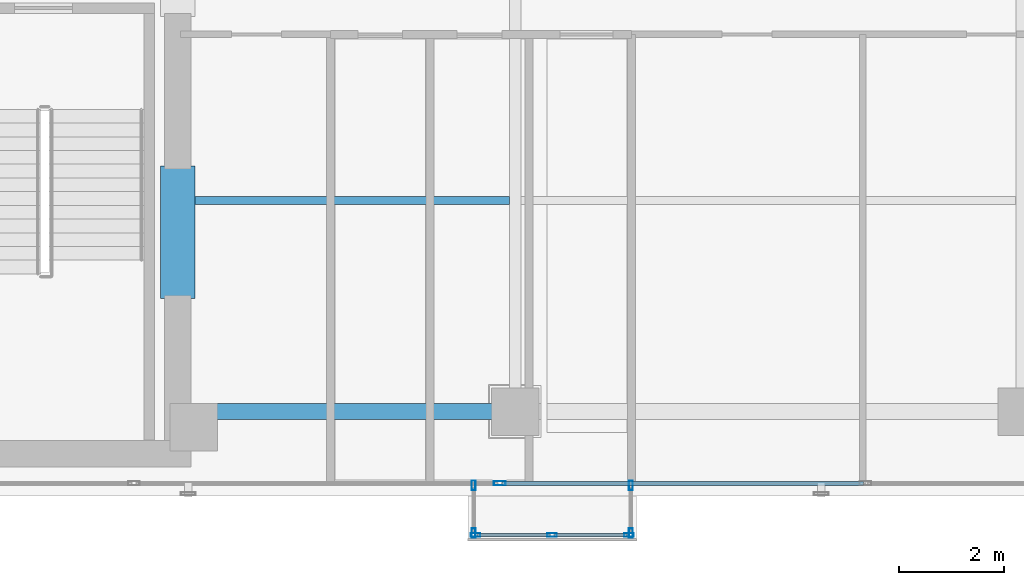
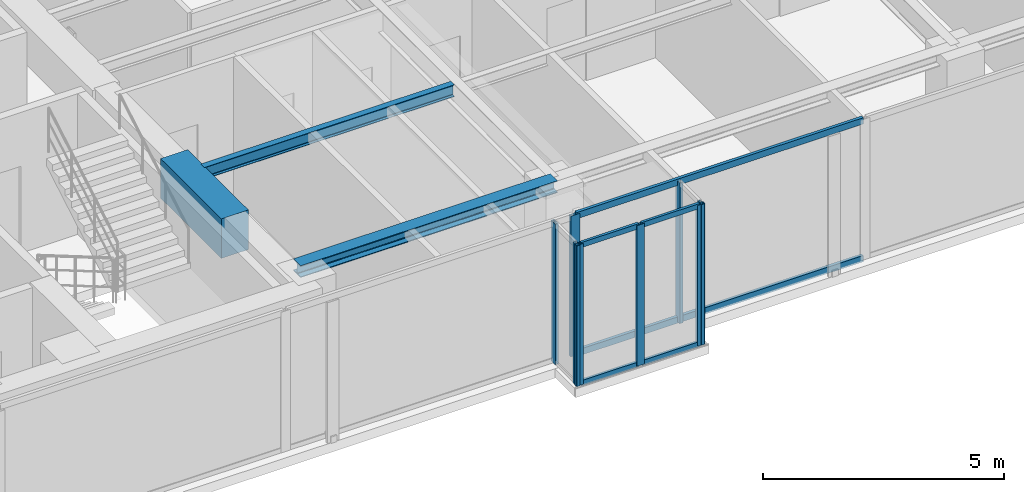
# One storey, part 4 of 22: 14 members, 3 beams, 4 elements without a shape of their own.
"""IFC4 building model written with IfcOpenShell, lengths in metres."""

from ifc_helpers import new_model, si_unit, direction, frame, origin, origin_with_axes, origin_2d, place, context, subcontext, project, spatial, rectangle, hollow_rectangle, i_section, extrude, source, transform, mapped, material, layer, layer_set, material_profile, profile_set, type_object, element, aggregate, save


model = new_model("IFC4")

# Units and contexts
model_context = context("Model", 3, precision=1e-05, world=origin(), true_north=direction((0.0, 1.0)))
body_context = subcontext(model_context, "Body", "Model", "MODEL_VIEW")
ifc_project = project(units=[si_unit("LENGTHUNIT", "METRE"), si_unit("AREAUNIT", "SQUARE_METRE"), si_unit("VOLUMEUNIT", "CUBIC_METRE"), si_unit("PLANEANGLEUNIT", "RADIAN"), si_unit("MASSUNIT", "GRAM", prefix="KILO")], contexts=[model_context])

# Site, building, storey
site_placement = place(None, origin())
site = spatial("IfcSite", under=ifc_project, at=site_placement, CompositionType="ELEMENT")
building_placement = place(site_placement, origin())
building = spatial("IfcBuilding", under=site, at=building_placement, Name="Kolvaren Waterfront Exchange", CompositionType="ELEMENT")
storey_placement = place(building_placement, frame((0.0, 0.0, 323.60009765625)))
storey = spatial("IfcBuildingStorey", under=building, at=storey_placement, Name="L83", CompositionType="ELEMENT", Elevation=323.60009765625)

# Beams
ifc_material_1 = material(Name="Steel S355", Category="steel")
ifc_material_profile_1 = material_profile(ifc_material_1, i_section(OverallWidth=0.300048828125, OverallDepth=0.300048828125, WebThickness=0.010986328125, FlangeThickness=0.01904296875, FilletRadius=0.027099609375, at=origin_2d()), Name="HEB300")
ifc_profile_set_1 = profile_set([ifc_material_profile_1], Name="Steel S355")
beam_type_1 = type_object("IfcBeamType", Name="STR-BM-HEB300", PredefinedType="SPANDREL", material=ifc_profile_set_1)
beam_1_placement = place(storey_placement, frame((21.050048828125, 5.199951171875, 3.409912109375), z_axis=(1.0, 0.0, 0.0), x_axis=(0.0, 1.0, 0.0)))
element("IfcBeam", 1, at=beam_1_placement, inside=storey, type_object=beam_type_1, Name="L83 east-arm spandrel S1", PredefinedType="SPANDREL", context=body_context, shape_type="SweptSolid", body=[
    extrude(i_section(OverallWidth=0.300048828125, OverallDepth=0.300048828125, WebThickness=0.010986328125, FlangeThickness=0.01904296875, FilletRadius=0.027099609375, at=origin_2d()), origin(), (0.0, 0.0, 1.0), 6.14990234375),
])
ifc_material_profile_2 = material_profile(ifc_material_1, i_section(OverallWidth=0.14990234375, OverallDepth=0.300048828125, WebThickness=0.007080078125, FlangeThickness=0.0107421875, FilletRadius=0.014892578125, at=origin_2d()), Name="IPE300")
ifc_profile_set_2 = profile_set([ifc_material_profile_2], Name="Steel S355")
beam_type_2 = type_object("IfcBeamType", Name="STR-BM-IPE300", PredefinedType="JOIST", material=ifc_profile_set_2)
beam_2_placement = place(storey_placement, frame((21.10009765625, 9.199951171875, 3.409912109375), z_axis=(1.0, 0.0, 0.0), x_axis=(0.0, 1.0, 0.0)))
element("IfcBeam", 2, at=beam_2_placement, inside=storey, type_object=beam_type_2, Name="L83 east-arm composite joist 1B", PredefinedType="JOIST", context=body_context, shape_type="SweptSolid", body=[
    extrude(i_section(OverallWidth=0.14990234375, OverallDepth=0.300048828125, WebThickness=0.007080078125, FlangeThickness=0.0107421875, FilletRadius=0.014892578125, at=origin_2d()), origin(), (0.0, 0.0, 1.0), 5.98779296875),
])
ifc_material_2 = material(Name="Concrete C60/75", Category="concrete")
ifc_material_profile_3 = material_profile(ifc_material_2, rectangle(XDim=0.64990234375, YDim=1.0, at=origin_2d()), Name="RC-CB-1000x650")
ifc_profile_set_3 = profile_set([ifc_material_profile_3], Name="Concrete C60/75")
beam_type_3 = type_object("IfcBeamType", Name="STR-CB-1000", PredefinedType="SPANDREL", material=ifc_profile_set_3)
beam_3_placement = place(storey_placement, frame((20.800048828125, 7.340087890625, 3.059814453125), z_axis=(0.0, 1.0, 0.0), x_axis=(-1.0, 0.0, 0.0)))
element("IfcBeam", 3, at=beam_3_placement, inside=storey, type_object=beam_type_3, Name="L83 core coupling beam 1", PredefinedType="SPANDREL", context=body_context, shape_type="SweptSolid", body=[
    extrude(rectangle(XDim=0.64990234375, YDim=1.0, at=origin_2d()), origin(), (0.0, 0.0, 1.0), 2.52001953125),
])

# Curtain wall, members
ifc_material_3 = material(Name="Anodised bronze aluminium 6063-T6", Category="aluminium")
ifc_layer_1 = layer(ifc_material_3, 0.219970703125, Name="Anodised bronze aluminium 6063-T6")
ifc_layer_set_1 = layer_set([ifc_layer_1], Name="Anodised bronze aluminium 6063-T6")
curtain_wall_type_1 = type_object("IfcCurtainWallType", Name="ARC-CW-SYS3", PredefinedType="USERDEFINED", material=ifc_layer_set_1)
curtain_wall_1_placement = place(storey_placement, origin())
curtain_wall_1 = element("IfcCurtainWall", 4, at=curtain_wall_1_placement, inside=storey, type_object=curtain_wall_type_1, Name="L83 stick curtain wall CW3 (CW-L83-BOX)", ObjectType="STICK CURTAIN WALL", PredefinedType="USERDEFINED")
ifc_material_profile_4 = material_profile(ifc_material_3, hollow_rectangle(XDim=0.06494140625, YDim=0.1298828125, WallThickness=0.00390625, at=origin_2d()), Name="ALU-TRN-130x65x4")
ifc_profile_set_4 = profile_set([ifc_material_profile_4], Name="Anodised bronze aluminium 6063-T6")
member_type_1 = type_object("IfcMemberType", Name="ARC-CWT-130", PredefinedType="USERDEFINED", material=ifc_profile_set_4)
shared_shape_1 = source(origin_with_axes(), body_context, "Body", "SweptSolid", [
    extrude(hollow_rectangle(XDim=0.06494140625, YDim=0.1298828125, WallThickness=0.00390625, at=origin_2d()), origin(), (0.0, 0.0, 1.0), 1.37744140625),
])
member_1_placement = place(storey_placement, frame((26.485107421875, 2.860107421875, 0.032470703125), z_axis=(1.0, 0.0, 0.0), x_axis=(0.0, 1.0, 0.0)))
member_1 = element("IfcMember", 5, at=member_1_placement, type_object=member_type_1, Name="CW3 transom 1.1", ObjectType="TRANSOM", PredefinedType="USERDEFINED", context=body_context, shape_type="MappedRepresentation", body=[
    mapped(shared_shape_1, transform((0.0, 0.0, 0.0), x_axis=(1.0, 0.0, 0.0), y_axis=(0.0, 1.0, 0.0), z_axis=(0.0, 0.0, 1.0), scale=1.0)),
])
member_2_placement = place(storey_placement, frame((26.485107421875, 2.860107421875, 3.52734375), z_axis=(1.0, 0.0, 0.0), x_axis=(0.0, 1.0, 0.0)))
member_2 = element("IfcMember", 6, at=member_2_placement, type_object=member_type_1, Name="CW3 transom 1.2", ObjectType="TRANSOM", PredefinedType="USERDEFINED", context=body_context, shape_type="MappedRepresentation", body=[
    mapped(shared_shape_1, transform((0.0, 0.0, 0.0), x_axis=(1.0, 0.0, 0.0), y_axis=(0.0, 1.0, 0.0), z_axis=(0.0, 0.0, 1.0), scale=1.0)),
])
member_3_placement = place(storey_placement, frame((27.9375, 2.860107421875, 0.032470703125), z_axis=(1.0, 0.0, 0.0), x_axis=(0.0, 1.0, 0.0)))
member_3 = element("IfcMember", 7, at=member_3_placement, type_object=member_type_1, Name="CW3 transom 2.1", ObjectType="TRANSOM", PredefinedType="USERDEFINED", context=body_context, shape_type="MappedRepresentation", body=[
    mapped(shared_shape_1, transform((0.0, 0.0, 0.0), x_axis=(1.0, 0.0, 0.0), y_axis=(0.0, 1.0, 0.0), z_axis=(0.0, 0.0, 1.0), scale=1.0)),
])
member_4_placement = place(storey_placement, frame((27.9375, 2.860107421875, 3.52734375), z_axis=(1.0, 0.0, 0.0), x_axis=(0.0, 1.0, 0.0)))
member_4 = element("IfcMember", 8, at=member_4_placement, type_object=member_type_1, Name="CW3 transom 2.2", ObjectType="TRANSOM", PredefinedType="USERDEFINED", context=body_context, shape_type="MappedRepresentation", body=[
    mapped(shared_shape_1, transform((0.0, 0.0, 0.0), x_axis=(1.0, 0.0, 0.0), y_axis=(0.0, 1.0, 0.0), z_axis=(0.0, 0.0, 1.0), scale=1.0)),
])

curtain_wall_2_placement = place(storey_placement, origin())
curtain_wall_2 = element("IfcCurtainWall", 9, at=curtain_wall_2_placement, inside=storey, type_object=curtain_wall_type_1, Name="L83 stick curtain wall CW3 (CW-L83-BOX-W)", ObjectType="STICK CURTAIN WALL", PredefinedType="USERDEFINED")
ifc_material_profile_5 = material_profile(ifc_material_3, hollow_rectangle(XDim=0.074951171875, YDim=0.179931640625, WallThickness=0.00439453125, at=origin_2d()), Name="ALU-MUL-180x75x4.5")
ifc_profile_set_5 = profile_set([ifc_material_profile_5], Name="Anodised bronze aluminium 6063-T6")
member_type_2 = type_object("IfcMemberType", Name="ARC-CWM-180", PredefinedType="MULLION", material=ifc_profile_set_5)
shared_shape_2 = source(origin_with_axes(), body_context, "Body", "SweptSolid", [
    extrude(hollow_rectangle(XDim=0.074951171875, YDim=0.179931640625, WallThickness=0.00439453125, at=origin_2d()), origin(), (0.0, 0.0, 1.0), 3.559814453125),
])
member_5_placement = place(storey_placement, frame((26.409912109375, 3.802490234375, 0.0), z_axis=(0.0, 0.0, 1.0), x_axis=(1.0, 0.0, 0.0)))
member_5 = element("IfcMember", 10, at=member_5_placement, type_object=member_type_2, Name="CW3 mullion 1", PredefinedType="MULLION", context=body_context, shape_type="MappedRepresentation", body=[
    mapped(shared_shape_2, transform((0.0, 0.0, 0.0), x_axis=(1.0, 0.0, 0.0), y_axis=(0.0, 1.0, 0.0), z_axis=(0.0, 0.0, 1.0), scale=1.0)),
])
member_6_placement = place(storey_placement, frame((26.409912109375, 2.8974609375, 0.0), z_axis=(0.0, 0.0, 1.0), x_axis=(1.0, 0.0, 0.0)))
member_6 = element("IfcMember", 11, at=member_6_placement, type_object=member_type_2, Name="CW3 mullion 2", PredefinedType="MULLION", context=body_context, shape_type="MappedRepresentation", body=[
    mapped(shared_shape_2, transform((0.0, 0.0, 0.0), x_axis=(1.0, 0.0, 0.0), y_axis=(0.0, 1.0, 0.0), z_axis=(0.0, 0.0, 1.0), scale=1.0)),
])
aggregate(curtain_wall_2, [member_5, member_6])

# Member
member_7_placement = place(storey_placement, frame((26.447509765625, 2.860107421875, 0.0), z_axis=(0.0, 0.0, 1.0), x_axis=(0.0, 1.0, 0.0)))
member_7 = element("IfcMember", 12, at=member_7_placement, type_object=member_type_2, Name="CW3 mullion 1", PredefinedType="MULLION", context=body_context, shape_type="MappedRepresentation", body=[
    mapped(shared_shape_2, transform((0.0, 0.0, 0.0), x_axis=(1.0, 0.0, 0.0), y_axis=(0.0, 1.0, 0.0), z_axis=(0.0, 0.0, 1.0), scale=1.0)),
])

member_8_placement = place(storey_placement, frame((27.89990234375, 2.860107421875, 0.0), z_axis=(0.0, 0.0, 1.0), x_axis=(0.0, 1.0, 0.0)))
member_8 = element("IfcMember", 13, at=member_8_placement, type_object=member_type_2, Name="CW3 mullion 2", PredefinedType="MULLION", context=body_context, shape_type="MappedRepresentation", body=[
    mapped(shared_shape_2, transform((0.0, 0.0, 0.0), x_axis=(1.0, 0.0, 0.0), y_axis=(0.0, 1.0, 0.0), z_axis=(0.0, 0.0, 1.0), scale=1.0)),
])

member_9_placement = place(storey_placement, frame((29.3525390625, 2.860107421875, 0.0), z_axis=(0.0, 0.0, 1.0), x_axis=(0.0, 1.0, 0.0)))
member_9 = element("IfcMember", 14, at=member_9_placement, type_object=member_type_2, Name="CW3 mullion 3", PredefinedType="MULLION", context=body_context, shape_type="MappedRepresentation", body=[
    mapped(shared_shape_2, transform((0.0, 0.0, 0.0), x_axis=(1.0, 0.0, 0.0), y_axis=(0.0, 1.0, 0.0), z_axis=(0.0, 0.0, 1.0), scale=1.0)),
])

aggregate(curtain_wall_1, [member_7, member_8, member_9, member_1, member_2, member_3, member_4])

# Curtain wall, members
curtain_wall_3_placement = place(storey_placement, origin())
curtain_wall_3 = element("IfcCurtainWall", 15, at=curtain_wall_3_placement, inside=storey, type_object=curtain_wall_type_1, Name="L83 stick curtain wall CW3 (CW-L83-BOX-E)", ObjectType="STICK CURTAIN WALL", PredefinedType="USERDEFINED")
member_10_placement = place(storey_placement, frame((29.389892578125, 2.8974609375, 0.0), z_axis=(0.0, 0.0, 1.0), x_axis=(-1.0, 0.0, 0.0)))
member_10 = element("IfcMember", 16, at=member_10_placement, type_object=member_type_2, Name="CW3 mullion 1", PredefinedType="MULLION", context=body_context, shape_type="MappedRepresentation", body=[
    mapped(shared_shape_2, transform((0.0, 0.0, 0.0), x_axis=(1.0, 0.0, 0.0), y_axis=(0.0, 1.0, 0.0), z_axis=(0.0, 0.0, 1.0), scale=1.0)),
])
member_11_placement = place(storey_placement, frame((29.389892578125, 3.802490234375, 0.0), z_axis=(0.0, 0.0, 1.0), x_axis=(-1.0, 0.0, 0.0)))
member_11 = element("IfcMember", 17, at=member_11_placement, type_object=member_type_2, Name="CW3 mullion 2", PredefinedType="MULLION", context=body_context, shape_type="MappedRepresentation", body=[
    mapped(shared_shape_2, transform((0.0, 0.0, 0.0), x_axis=(1.0, 0.0, 0.0), y_axis=(0.0, 1.0, 0.0), z_axis=(0.0, 0.0, 1.0), scale=1.0)),
])
aggregate(curtain_wall_3, [member_10, member_11])

ifc_layer_2 = layer(ifc_material_3, 0.219970703125, Name="Anodised bronze aluminium 6063-T6")
ifc_layer_set_2 = layer_set([ifc_layer_2], Name="Anodised bronze aluminium 6063-T6")
curtain_wall_type_2 = type_object("IfcCurtainWallType", Name="ARC-CW-SYS1", PredefinedType="USERDEFINED", material=ifc_layer_set_2)
curtain_wall_4_placement = place(storey_placement, origin())
curtain_wall_4 = element("IfcCurtainWall", 18, at=curtain_wall_4_placement, inside=storey, type_object=curtain_wall_type_2, Name="L83 stick curtain wall CW1 (CW-L83-S)", ObjectType="STICK CURTAIN WALL", PredefinedType="USERDEFINED")
ifc_material_4 = material(Name="Anodised aluminium 6063-T6", Category="aluminium")
ifc_material_profile_6 = material_profile(ifc_material_4, hollow_rectangle(XDim=0.080078125, YDim=0.219970703125, WallThickness=0.0048828125, at=origin_2d()), Name="ALU-MUL-220x80x5")
ifc_profile_set_6 = profile_set([ifc_material_profile_6], Name="Anodised aluminium 6063-T6")
member_type_3 = type_object("IfcMemberType", Name="ARC-CWM-220", PredefinedType="MULLION", material=ifc_profile_set_6)
shared_shape_3 = source(origin_with_axes(), body_context, "Body", "SweptSolid", [
    extrude(hollow_rectangle(XDim=0.080078125, YDim=0.219970703125, WallThickness=0.0048828125, at=origin_2d()), origin(), (0.0, 0.0, 1.0), 3.559814453125),
])
member_12_placement = place(storey_placement, frame((26.9052734375, 3.840087890625, 0.0), z_axis=(0.0, 0.0, 1.0), x_axis=(0.0, 1.0, 0.0)))
member_12 = element("IfcMember", 19, at=member_12_placement, type_object=member_type_3, Name="CW1 mullion 4", PredefinedType="MULLION", context=body_context, shape_type="MappedRepresentation", body=[
    mapped(shared_shape_3, transform((0.0, 0.0, 0.0), x_axis=(1.0, 0.0, 0.0), y_axis=(0.0, 1.0, 0.0), z_axis=(0.0, 0.0, 1.0), scale=1.0)),
])
ifc_material_profile_7 = material_profile(ifc_material_4, hollow_rectangle(XDim=0.074951171875, YDim=0.159912109375, WallThickness=0.00439453125, at=origin_2d()), Name="ALU-TRN-160x75x4.5")
ifc_profile_set_7 = profile_set([ifc_material_profile_7], Name="Anodised aluminium 6063-T6")
member_type_4 = type_object("IfcMemberType", Name="ARC-CWT-160", PredefinedType="USERDEFINED", material=ifc_profile_set_7)
shared_shape_4 = source(origin_with_axes(), body_context, "Body", "SweptSolid", [
    extrude(hollow_rectangle(XDim=0.074951171875, YDim=0.159912109375, WallThickness=0.00439453125, at=origin_2d()), origin(), (0.0, 0.0, 1.0), 6.85498046875),
])
member_13_placement = place(storey_placement, frame((26.9453125, 3.840087890625, 0.037353515625), z_axis=(1.0, 0.0, 0.0), x_axis=(0.0, 1.0, 0.0)))
member_13 = element("IfcMember", 20, at=member_13_placement, type_object=member_type_4, Name="CW1 transom 4.1", ObjectType="TRANSOM", PredefinedType="USERDEFINED", context=body_context, shape_type="MappedRepresentation", body=[
    mapped(shared_shape_4, transform((0.0, 0.0, 0.0), x_axis=(1.0, 0.0, 0.0), y_axis=(0.0, 1.0, 0.0), z_axis=(0.0, 0.0, 1.0), scale=1.0)),
])
member_14_placement = place(storey_placement, frame((26.9453125, 3.840087890625, 3.5224609375), z_axis=(1.0, 0.0, 0.0), x_axis=(0.0, 1.0, 0.0)))
member_14 = element("IfcMember", 21, at=member_14_placement, type_object=member_type_4, Name="CW1 transom 4.2", ObjectType="TRANSOM", PredefinedType="USERDEFINED", context=body_context, shape_type="MappedRepresentation", body=[
    mapped(shared_shape_4, transform((0.0, 0.0, 0.0), x_axis=(1.0, 0.0, 0.0), y_axis=(0.0, 1.0, 0.0), z_axis=(0.0, 0.0, 1.0), scale=1.0)),
])
aggregate(curtain_wall_4, [member_12, member_13, member_14])

save(model, "model.ifc")
